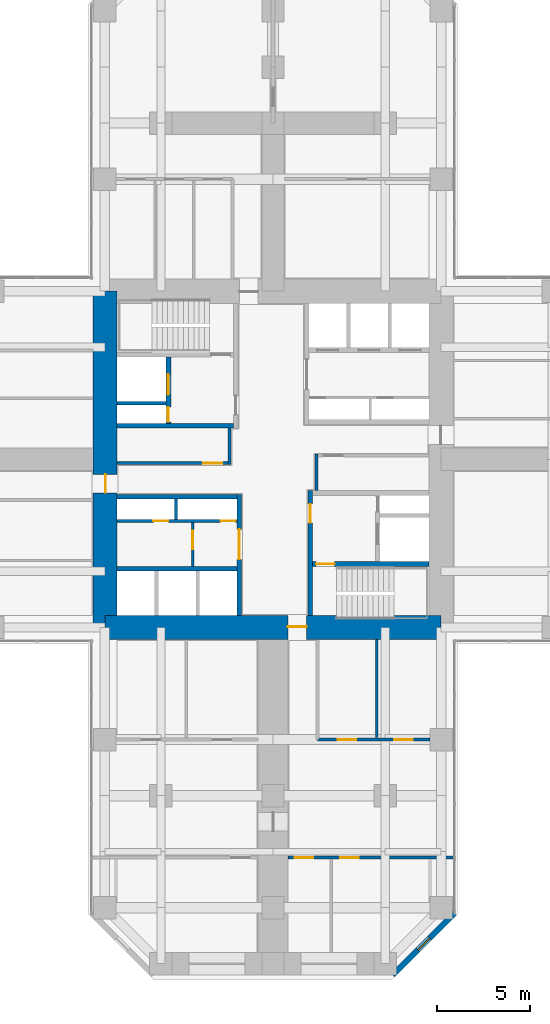
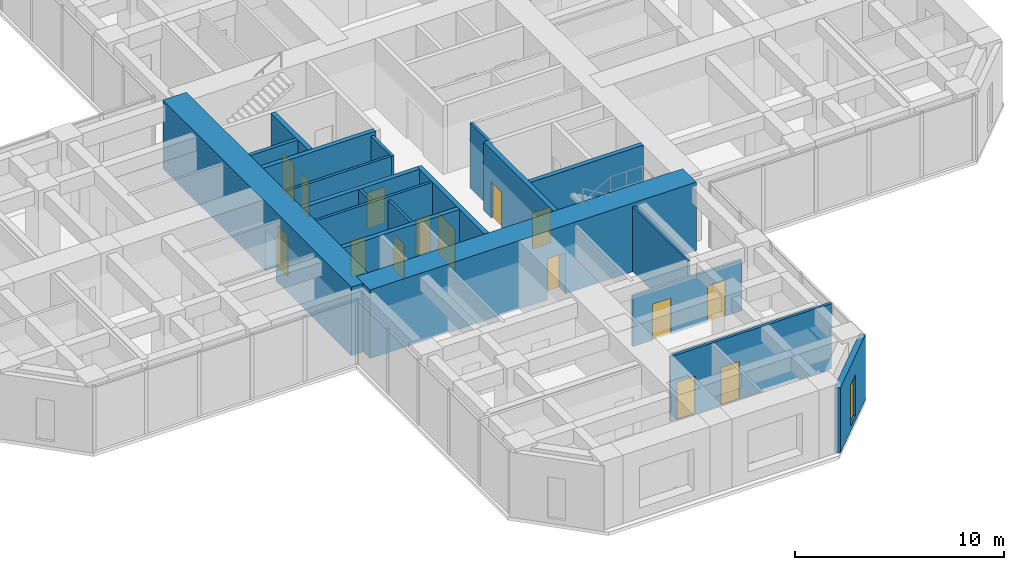
# One storey, part 9 of 13: 20 walls, 15 doors, 1 window, 16 openings.
"""IFC4 building model written with IfcOpenShell, lengths in metres."""

from ifc_helpers import new_model, si_unit, direction, frame, frame_2d, origin, place, context, subcontext, project, spatial, rectangle, hollow_rectangle, extrude, material, layer, layer_set, constituent, constituent_set, type_object, element, fill, save


model = new_model("IFC4")

# Units and contexts
model_context = context("Model", 3, precision=1e-05, world=origin(), true_north=direction((0.0, 1.0)))
body_context = subcontext(model_context, "Body", "Model", "MODEL_VIEW")
ifc_project = project(units=[si_unit("LENGTHUNIT", "METRE"), si_unit("AREAUNIT", "SQUARE_METRE"), si_unit("VOLUMEUNIT", "CUBIC_METRE"), si_unit("PLANEANGLEUNIT", "RADIAN"), si_unit("MASSUNIT", "GRAM", prefix="KILO")], contexts=[model_context])

# Site, building, storey
site_placement = place(None, origin())
site = spatial("IfcSite", under=ifc_project, at=site_placement, CompositionType="ELEMENT")
building_placement = place(site_placement, origin())
building = spatial("IfcBuilding", under=site, at=building_placement, Name="Torre Cruceta", CompositionType="ELEMENT")
storey_placement = place(building_placement, frame((0.0, 0.0, 47.5)))
storey = spatial("IfcBuildingStorey", under=building, at=storey_placement, Name="L11", CompositionType="ELEMENT", Elevation=47.5)

# Wall
ifc_material_1 = material(Name="Concrete G60 (fck 60 MPa)", Category="concrete")
ifc_layer_1 = layer(ifc_material_1, 0.25)
ifc_layer_set_1 = layer_set([ifc_layer_1], Name="Concrete G60 (fck 60 MPa)")
wall_type_1 = type_object("IfcWallType", Name="CORE INNER WALL 250 G60", PredefinedType="SHEAR", material=ifc_layer_set_1)
wall_1_placement = place(storey_placement, frame((-2.125, 1.800048828125, 0.0), z_axis=(0.0, 0.0, 1.0), x_axis=(-1.0, 0.0, 0.0)))
element("IfcWall", 1, at=wall_1_placement, inside=storey, type_object=wall_type_1, Name="CW4 L11 NW-CV", PredefinedType="SHEAR", context=body_context, shape_type="SweptSolid", body=[
    extrude(rectangle(XDim=6.22509765625, YDim=0.25, at=frame_2d((3.112548828125, 0.0))), origin(), (0.0, 0.0, 1.0), 4.0),
])

# Wall, openings, doors
wall_2_placement = place(storey_placement, frame((-5.60009765625, 1.925048828125, 0.0), z_axis=(0.0, 0.0, 1.0), x_axis=(0.0, 1.0, 0.0)))
wall_2 = element("IfcWall", 2, at=wall_2_placement, inside=storey, type_object=wall_type_1, Name="CW4 L11 NW-FU", PredefinedType="SHEAR", context=body_context, shape_type="SweptSolid", body=[
    extrude(rectangle(XDim=3.550048828125, YDim=0.25, at=frame_2d((1.77490234375, 0.0))), origin(), (0.0, 0.0, 1.0), 4.0),
])
opening_1_placement = place(wall_2_placement, frame((1.52490234375, 0.0, 0.0)))
opening_1 = element("IfcOpeningElement", 3, at=opening_1_placement, cuts=wall_2, Name="Opening LD1", PredefinedType="OPENING", context=body_context, shape_type="SweptSolid", body=[
    extrude(rectangle(XDim=1.10009765625, YDim=2.199951171875, at=frame_2d((0.550048828125, 1.10009765625))), frame((0.0, 0.135009765625, 0.0), z_axis=(0.0, -1.0, 0.0), x_axis=(1.0, 0.0, 0.0)), (0.0, 0.0, 1.0), 0.27001953125),
])
opening_2_placement = place(wall_2_placement, frame((0.074951171875, 0.0, 0.0)))
opening_2 = element("IfcOpeningElement", 4, at=opening_2_placement, cuts=wall_2, Name="Opening D5", PredefinedType="OPENING", context=body_context, shape_type="SweptSolid", body=[
    extrude(rectangle(XDim=0.800048828125, YDim=2.10009765625, at=frame_2d((0.39990234375, 1.050048828125))), frame((0.0, 0.135009765625, 0.0), z_axis=(0.0, -1.0, 0.0), x_axis=(1.0, 0.0, 0.0)), (0.0, 0.0, 1.0), 0.27001953125),
])
ifc_material_2 = material(Name="Stainless steel 1.4401", Category="steel")
door_type_1 = type_object("IfcDoorType", Name="LIFT LANDING DOOR 1100X2200", OperationType="DOUBLE_DOOR_SLIDING", PredefinedType="DOOR", material=ifc_material_2)
door_1_placement = place(opening_1_placement, origin())
door_1 = element("IfcDoor", 5, at=door_1_placement, inside=storey, type_object=door_type_1, Name="Lift landing door FL1", OperationType="DOUBLE_DOOR_SLIDING", OverallHeight=2.199951171875, OverallWidth=1.10009765625, PredefinedType="DOOR", context=body_context, shape_type="SweptSolid", body=[
    extrude(rectangle(XDim=1.10009765625, YDim=2.199951171875, at=frame_2d((0.550048828125, 1.10009765625))), frame((0.0, 0.02490234375, 0.0), z_axis=(0.0, -1.0, 0.0), x_axis=(1.0, 0.0, 0.0)), (0.0, 0.0, 1.0), 0.050048828125),
])
fill(opening_1, door_1)
ifc_material_3 = material(Name="Steel DX51D", Category="steel")
ifc_constituent_1 = constituent(ifc_material_3, Name="Leaf and frame")
ifc_material_4 = material(Name="Polyester powder coating", Category="paint")
ifc_constituent_2 = constituent(ifc_material_4, Name="Finish")
ifc_constituent_set_1 = constituent_set(constituents=[ifc_constituent_1, ifc_constituent_2], Name="Steel fire door")
door_type_2 = type_object("IfcDoorType", Name="RISER ACCESS DOOR 800X2100", OperationType="SINGLE_SWING_LEFT", PredefinedType="DOOR", material=ifc_constituent_set_1)
door_2_placement = place(opening_2_placement, origin())
door_2 = element("IfcDoor", 6, at=door_2_placement, inside=storey, type_object=door_type_2, Name="D5 L11 NW-RISER", OperationType="SINGLE_SWING_LEFT", OverallHeight=2.10009765625, OverallWidth=0.800048828125, PredefinedType="DOOR", context=body_context, shape_type="SweptSolid", body=[
    extrude(rectangle(XDim=0.800048828125, YDim=2.10009765625, at=frame_2d((0.39990234375, 1.050048828125))), frame((0.0, 0.02490234375, 0.0), z_axis=(0.0, -1.0, 0.0), x_axis=(1.0, 0.0, 0.0)), (0.0, 0.0, 1.0), 0.050048828125),
])
fill(opening_2, door_2)

# Wall, opening, door
wall_3_placement = place(storey_placement, frame((-1.800048828125, -1.875, 0.0), z_axis=(0.0, 0.0, 1.0), x_axis=(0.0, -1.0, 0.0)))
wall_3 = element("IfcWall", 7, at=wall_3_placement, inside=storey, type_object=wall_type_1, Name="CW4 L11 SW-CU", PredefinedType="SHEAR", context=body_context, shape_type="SweptSolid", body=[
    extrude(rectangle(XDim=6.47509765625, YDim=0.25, at=frame_2d((3.237548828125, 0.0))), origin(), (0.0, 0.0, 1.0), 4.0),
])
opening_3_placement = place(wall_3_placement, frame((1.875, 0.0, 0.0)))
opening_3 = element("IfcOpeningElement", 8, at=opening_3_placement, cuts=wall_3, Name="Opening D15", PredefinedType="OPENING", context=body_context, shape_type="SweptSolid", body=[
    extrude(rectangle(XDim=1.60009765625, YDim=2.39990234375, at=frame_2d((0.800048828125, 1.199951171875))), frame((0.0, 0.135009765625, 0.0), z_axis=(0.0, -1.0, 0.0), x_axis=(1.0, 0.0, 0.0)), (0.0, 0.0, 1.0), 0.27001953125),
])
ifc_material_5 = material(Name="Steel DX51D", Category="steel")
ifc_constituent_3 = constituent(ifc_material_5, Name="Leaf and frame")
ifc_material_6 = material(Name="Polyester powder coating", Category="paint")
ifc_constituent_4 = constituent(ifc_material_6, Name="Finish")
ifc_constituent_set_2 = constituent_set(constituents=[ifc_constituent_3, ifc_constituent_4], Name="Steel fire door")
door_type_3 = type_object("IfcDoorType", Name="CORE ROOM DOUBLE DOOR 1600X2400", OperationType="DOUBLE_DOOR_SINGLE_SWING", PredefinedType="DOOR", material=ifc_constituent_set_2)
door_3_placement = place(opening_3_placement, frame((1.60009765625, 0.0, 0.0), z_axis=(0.0, 0.0, 1.0), x_axis=(-1.0, 0.0, 0.0)))
door_3 = element("IfcDoor", 9, at=door_3_placement, inside=storey, type_object=door_type_3, Name="D15 L11 SW-LOBBY", OperationType="DOUBLE_DOOR_SINGLE_SWING", OverallHeight=2.39990234375, OverallWidth=1.60009765625, PredefinedType="DOOR", context=body_context, shape_type="SweptSolid", body=[
    extrude(rectangle(XDim=1.60009765625, YDim=2.39990234375, at=frame_2d((0.800048828125, 1.199951171875))), frame((0.0, 0.025146484375, 0.0), z_axis=(0.0, -1.0, 0.0), x_axis=(1.0, 0.0, 0.0)), (0.0, 0.0, 1.0), 0.050048828125),
])
fill(opening_3, door_3)

# Walls
for number, where, z_axis, x_axis, name in (
    (10, (-1.925048828125, -2.0, 0.0), (0.0, 0.0, 1.0), (-1.0, 0.0, 0.0), "CW4 L11 SW-CV"),
    (11, (-1.925048828125, -5.85009765625, 0.0), (0.0, 0.0, 1.0), (-1.0, 0.0, 0.0), "CW4 L11 SW-LV"),
):
    element("IfcWall", number, at=place(storey_placement, frame(where, z_axis=z_axis, x_axis=x_axis)), inside=storey, type_object=wall_type_1, Name=name, PredefinedType="SHEAR", context=body_context, shape_type="SweptSolid", body=[
        extrude(rectangle(XDim=6.425048828125, YDim=0.25, at=frame_2d((3.21240234375, 0.0))), origin(), (0.0, 0.0, 1.0), 4.0),
    ])

# Wall, opening, door
wall_4_placement = place(storey_placement, frame((2.0, -1.675048828125, 0.0), z_axis=(0.0, 0.0, 1.0), x_axis=(0.0, -1.0, 0.0)))
wall_4 = element("IfcWall", 12, at=wall_4_placement, inside=storey, type_object=wall_type_1, Name="CW4 L11 SE-CU", PredefinedType="SHEAR", context=body_context, shape_type="SweptSolid", body=[
    extrude(rectangle(XDim=6.675048828125, YDim=0.25, at=frame_2d((3.33740234375, 0.0))), origin(), (0.0, 0.0, 1.0), 4.0),
])
opening_4_placement = place(wall_4_placement, frame((0.72509765625, 0.0, 0.0)))
opening_4 = element("IfcOpeningElement", 13, at=opening_4_placement, cuts=wall_4, Name="Opening D3", PredefinedType="OPENING", context=body_context, shape_type="SweptSolid", body=[
    extrude(rectangle(XDim=1.0, YDim=2.10009765625, at=frame_2d((0.5, 1.050048828125))), frame((0.0, 0.135009765625, 0.0), z_axis=(0.0, -1.0, 0.0), x_axis=(1.0, 0.0, 0.0)), (0.0, 0.0, 1.0), 0.27001953125),
])
ifc_material_7 = material(Name="Steel DX51D", Category="steel")
ifc_constituent_5 = constituent(ifc_material_7, Name="Leaf and frame")
ifc_material_8 = material(Name="Polyester powder coating", Category="paint")
ifc_constituent_6 = constituent(ifc_material_8, Name="Finish")
ifc_constituent_set_3 = constituent_set(constituents=[ifc_constituent_5, ifc_constituent_6], Name="Steel fire door")
door_type_4 = type_object("IfcDoorType", Name="FIRE DOOR 1000X2100", OperationType="SINGLE_SWING_LEFT", PredefinedType="DOOR", material=ifc_constituent_set_3)
door_4_placement = place(opening_4_placement, origin())
door_4 = element("IfcDoor", 14, at=door_4_placement, inside=storey, type_object=door_type_4, Name="D3 L11 SE-LOBBY", OperationType="SINGLE_SWING_LEFT", OverallHeight=2.10009765625, OverallWidth=1.0, PredefinedType="DOOR", context=body_context, shape_type="SweptSolid", body=[
    extrude(rectangle(XDim=1.0, YDim=2.10009765625, at=frame_2d((0.5, 1.050048828125))), frame((0.0, 0.02490234375, 0.0), z_axis=(0.0, -1.0, 0.0), x_axis=(1.0, 0.0, 0.0)), (0.0, 0.0, 1.0), 0.050048828125),
])
fill(opening_4, door_4)

wall_5_placement = place(storey_placement, frame((2.125, -5.60009765625, 0.0), z_axis=(0.0, 0.0, 1.0), x_axis=(1.0, 0.0, 0.0)))
wall_5 = element("IfcWall", 15, at=wall_5_placement, inside=storey, type_object=wall_type_1, Name="CW4 L11 SE-SV", PredefinedType="SHEAR", context=body_context, shape_type="SweptSolid", body=[
    extrude(rectangle(XDim=6.22509765625, YDim=0.25, at=frame_2d((3.112548828125, 0.0))), origin(), (0.0, 0.0, 1.0), 4.0),
])
opening_5_placement = place(wall_5_placement, frame((0.175048828125, 0.0, 0.0)))
opening_5 = element("IfcOpeningElement", 16, at=opening_5_placement, cuts=wall_5, Name="Opening D3", PredefinedType="OPENING", context=body_context, shape_type="SweptSolid", body=[
    extrude(rectangle(XDim=1.0, YDim=2.10009765625, at=frame_2d((0.5, 1.050048828125))), frame((0.0, 0.135009765625, 0.0), z_axis=(0.0, -1.0, 0.0), x_axis=(1.0, 0.0, 0.0)), (0.0, 0.0, 1.0), 0.27001953125),
])
door_5_placement = place(opening_5_placement, frame((1.0, 0.0, 0.0), z_axis=(0.0, 0.0, 1.0), x_axis=(-1.0, 0.0, 0.0)))
door_5 = element("IfcDoor", 17, at=door_5_placement, inside=storey, type_object=door_type_4, Name="D3 L11 SE-STAIR", OperationType="SINGLE_SWING_RIGHT", OverallHeight=2.10009765625, OverallWidth=1.0, PredefinedType="DOOR", context=body_context, shape_type="SweptSolid", body=[
    extrude(rectangle(XDim=1.0, YDim=2.10009765625, at=frame_2d((0.5, 1.050048828125))), frame((0.0, 0.025146484375, 0.0), z_axis=(0.0, -1.0, 0.0), x_axis=(1.0, 0.0, 0.0)), (0.0, 0.0, 1.0), 0.050048828125),
])
fill(opening_5, door_5)

ifc_material_9 = material(Name="Concrete G60 (fck 60 MPa)", Category="concrete")
ifc_layer_2 = layer(ifc_material_9, 1.300048828125)
ifc_layer_set_2 = layer_set([ifc_layer_2], Name="Concrete G60 (fck 60 MPa)")
wall_type_2 = type_object("IfcWallType", Name="CORE WALL 1300 G60", PredefinedType="SHEAR", material=ifc_layer_set_2)
wall_6_placement = place(storey_placement, frame((-9.0, -9.0, 0.0), z_axis=(0.0, 0.0, 1.0), x_axis=(1.0, 0.0, 0.0)))
wall_6 = element("IfcWall", 18, at=wall_6_placement, inside=storey, type_object=wall_type_2, Name="CW1 L11 CW-S", PredefinedType="SHEAR", context=body_context, shape_type="SweptSolid", body=[
    extrude(rectangle(XDim=18.0, YDim=1.300048828125, at=frame_2d((9.0, 0.0))), origin(), (0.0, 0.0, 1.0), 4.0),
])
opening_6_placement = place(wall_6_placement, frame((9.800048828125, 0.0, 0.0)))
opening_6 = element("IfcOpeningElement", 19, at=opening_6_placement, cuts=wall_6, Name="Opening D4", PredefinedType="OPENING", context=body_context, shape_type="SweptSolid", body=[
    extrude(rectangle(XDim=1.0, YDim=2.39990234375, at=frame_2d((0.5, 1.199951171875))), frame((0.0, 0.659912109375, 0.0), z_axis=(0.0, -1.0, 0.0), x_axis=(1.0, 0.0, 0.0)), (0.0, 0.0, 1.0), 1.320068359375),
])
ifc_material_10 = material(Name="Steel DX51D", Category="steel")
ifc_constituent_7 = constituent(ifc_material_10, Name="Leaf and frame")
ifc_material_11 = material(Name="Polyester powder coating", Category="paint")
ifc_constituent_8 = constituent(ifc_material_11, Name="Finish")
ifc_constituent_set_4 = constituent_set(constituents=[ifc_constituent_7, ifc_constituent_8], Name="Steel fire door")
door_type_5 = type_object("IfcDoorType", Name="CORE ARM DOOR 1000X2400", OperationType="SINGLE_SWING_RIGHT", PredefinedType="DOOR", material=ifc_constituent_set_4)
door_6_placement = place(opening_6_placement, frame((1.0, 0.0, 0.0), z_axis=(0.0, 0.0, 1.0), x_axis=(-1.0, 0.0, 0.0)))
door_6 = element("IfcDoor", 20, at=door_6_placement, inside=storey, type_object=door_type_5, Name="D4 L11 CW-S", OperationType="SINGLE_SWING_RIGHT", OverallHeight=2.39990234375, OverallWidth=1.0, PredefinedType="DOOR", context=body_context, shape_type="SweptSolid", body=[
    extrude(rectangle(XDim=1.0, YDim=2.39990234375, at=frame_2d((0.5, 1.199951171875))), frame((0.0, -0.005126953125, 0.0), z_axis=(0.0, -1.0, 0.0), x_axis=(1.0, 0.0, 0.0)), (0.0, 0.0, 1.0), 0.050048828125),
])
fill(opening_6, door_6)

wall_7_placement = place(storey_placement, frame((-9.0, 9.0, 0.0), z_axis=(0.0, 0.0, 1.0), x_axis=(0.0, -1.0, 0.0)))
wall_7 = element("IfcWall", 21, at=wall_7_placement, inside=storey, type_object=wall_type_2, Name="CW1 L11 CW-W", PredefinedType="SHEAR", context=body_context, shape_type="SweptSolid", body=[
    extrude(rectangle(XDim=18.0, YDim=1.300048828125, at=frame_2d((9.0, 0.0))), origin(), (0.0, 0.0, 1.0), 4.0),
])
opening_7_placement = place(wall_7_placement, frame((9.800048828125, 0.0, 0.0)))
opening_7 = element("IfcOpeningElement", 22, at=opening_7_placement, cuts=wall_7, Name="Opening D4", PredefinedType="OPENING", context=body_context, shape_type="SweptSolid", body=[
    extrude(rectangle(XDim=1.0, YDim=2.39990234375, at=frame_2d((0.5, 1.199951171875))), frame((0.0, 0.659912109375, 0.0), z_axis=(0.0, -1.0, 0.0), x_axis=(1.0, 0.0, 0.0)), (0.0, 0.0, 1.0), 1.320068359375),
])
door_7_placement = place(opening_7_placement, frame((1.0, 0.0, 0.0), z_axis=(0.0, 0.0, 1.0), x_axis=(-1.0, 0.0, 0.0)))
door_7 = element("IfcDoor", 23, at=door_7_placement, inside=storey, type_object=door_type_5, Name="D4 L11 CW-W", OperationType="SINGLE_SWING_RIGHT", OverallHeight=2.39990234375, OverallWidth=1.0, PredefinedType="DOOR", context=body_context, shape_type="SweptSolid", body=[
    extrude(rectangle(XDim=1.0, YDim=2.39990234375, at=frame_2d((0.5, 1.199951171875))), frame((0.0, -0.005126953125, 0.0), z_axis=(0.0, -1.0, 0.0), x_axis=(1.0, 0.0, 0.0)), (0.0, 0.0, 1.0), 0.050048828125),
])
fill(opening_7, door_7)

# Wall, opening, window
ifc_material_12 = material(Name="Concrete G30 (fck 30 MPa)", Category="concrete")
ifc_layer_3 = layer(ifc_material_12, 0.300048828125)
ifc_layer_set_3 = layer_set([ifc_layer_3], Name="Concrete G30 (fck 30 MPa)")
wall_type_3 = type_object("IfcWallType", Name="EXPOSED CONCRETE FACADE WALL 300", PredefinedType="SOLIDWALL", material=ifc_layer_set_3)
wall_8_placement = place(storey_placement, frame((6.418212890625, -27.60009765625, 0.0), z_axis=(0.0, 0.0, 1.0), x_axis=(0.707106781187, 0.707106781187, 0.0)))
wall_8 = element("IfcWall", 24, at=wall_8_placement, inside=storey, type_object=wall_type_3, Name="EW1 facade wall L11 S chamfer 18", PredefinedType="SOLIDWALL", context=body_context, shape_type="SweptSolid", body=[
    extrude(rectangle(XDim=4.66943359375, YDim=0.300048828125, at=frame_2d((2.334716796875, 0.0))), origin(), (0.0, 0.0, 1.0), 3.800048828125),
])
opening_8_placement = place(wall_8_placement, frame((1.884765625, 0.0, 0.300048828125)))
opening_8 = element("IfcOpeningElement", 25, at=opening_8_placement, cuts=wall_8, Name="Opening WN5", PredefinedType="OPENING", context=body_context, shape_type="SweptSolid", body=[
    extrude(rectangle(XDim=0.89990234375, YDim=2.39990234375, at=frame_2d((0.449951171875, 1.199951171875))), frame((0.0, 0.159912109375, 0.0), z_axis=(0.0, -1.0, 0.0), x_axis=(1.0, 0.0, 0.0)), (0.0, 0.0, 1.0), 0.320068359375),
])
ifc_material_13 = material(Name="Aluminium window frame", Category="aluminium")
ifc_constituent_9 = constituent(ifc_material_13, Name="Frame")
ifc_material_14 = material(Name="Laminated insulating glass unit, low-iron clear", Category="glass")
ifc_constituent_10 = constituent(ifc_material_14, Name="Glazing")
ifc_constituent_set_5 = constituent_set(constituents=[ifc_constituent_9, ifc_constituent_10], Name="Aluminium window")
window_type = type_object("IfcWindowType", Name="CHAMFER SLOT WINDOW 900X2400", PartitioningType="SINGLE_PANEL", PredefinedType="WINDOW", material=ifc_constituent_set_5)
window_placement = place(opening_8_placement, origin())
window = element("IfcWindow", 26, at=window_placement, inside=storey, type_object=window_type, Name="WN5 L11 S 1", OverallHeight=2.39990234375, OverallWidth=0.89990234375, PartitioningType="SINGLE_PANEL", PredefinedType="WINDOW", context=body_context, shape_type="SweptSolid", body=[
    extrude(hollow_rectangle(XDim=0.89990234375, YDim=2.39990234375, WallThickness=0.06005859375, at=frame_2d((0.449951171875, 1.199951171875))), frame((0.0, 0.030029296875, 0.0), z_axis=(0.0, -1.0, 0.0), x_axis=(1.0, 0.0, 0.0)), (0.0, 0.0, 1.0), 0.06005859375),
    extrude(rectangle(XDim=0.77880859375, YDim=2.27880859375, at=frame_2d((0.449951171875, 1.199951171875))), frame((0.0, 0.030029296875, 0.0), z_axis=(0.0, -1.0, 0.0), x_axis=(1.0, 0.0, 0.0)), (0.0, 0.0, 1.0), 0.06005859375),
])
fill(opening_8, window)

# Walls
ifc_material_15 = material(Name="Concrete G35 (fck 35 MPa)", Category="concrete")
ifc_layer_4 = layer(ifc_material_15, 0.199951171875)
ifc_layer_set_4 = layer_set([ifc_layer_4], Name="Concrete G35 (fck 35 MPa)")
wall_type_4 = type_object("IfcWallType", Name="LIFT SHAFT WALL 200", PredefinedType="PARTITIONING", material=ifc_layer_set_4)
wall_9_placement = place(storey_placement, frame((-5.72509765625, 3.0, 0.0), z_axis=(0.0, 0.0, 1.0), x_axis=(-1.0, 0.0, 0.0)))
element("IfcWall", 27, at=wall_9_placement, inside=storey, type_object=wall_type_4, Name="SW1 L11 NW-FR", PredefinedType="PARTITIONING", context=body_context, shape_type="SweptSolid", body=[
    extrude(rectangle(XDim=2.625, YDim=0.199951171875, at=frame_2d((1.3125, 0.0))), origin(), (0.0, 0.0, 1.0), 4.0),
])
ifc_material_16 = material(Name="Plasterboard on steel studs", Category="steel")
ifc_layer_5 = layer(ifc_material_16, 0.14990234375)
ifc_layer_set_5 = layer_set([ifc_layer_5], Name="Plasterboard on steel studs")
wall_type_5 = type_object("IfcWallType", Name="PARTITION 150", PredefinedType="PARTITIONING", material=ifc_layer_set_5)
wall_10_placement = place(storey_placement, frame((2.324951171875, -1.675048828125, 0.0), z_axis=(0.0, 0.0, 1.0), x_axis=(0.0, 1.0, 0.0)))
element("IfcWall", 28, at=wall_10_placement, inside=storey, type_object=wall_type_5, Name="PT1 L11-CORE-LEGE-S-W2", PredefinedType="PARTITIONING", context=body_context, shape_type="SweptSolid", body=[
    extrude(rectangle(XDim=1.949951171875, YDim=0.14990234375, at=frame_2d((0.97509765625, 0.0))), origin(), (0.0, 0.0, 1.0), 3.800048828125),
])

# Wall, opening, door
wall_11_placement = place(storey_placement, frame((-2.324951171875, -0.199951171875, 0.0), z_axis=(0.0, 0.0, 1.0), x_axis=(-1.0, 0.0, 0.0)))
wall_11 = element("IfcWall", 29, at=wall_11_placement, inside=storey, type_object=wall_type_5, Name="PT1 L11-CORE-LEGW-N-W1", PredefinedType="PARTITIONING", context=body_context, shape_type="SweptSolid", body=[
    extrude(rectangle(XDim=6.025146484375, YDim=0.14990234375, at=frame_2d((3.0126953125, 0.0))), origin(), (0.0, 0.0, 1.0), 3.800048828125),
])
opening_9_placement = place(wall_11_placement, frame((0.39990234375, 0.0, 0.0)))
opening_9 = element("IfcOpeningElement", 30, at=opening_9_placement, cuts=wall_11, Name="Opening D3", PredefinedType="OPENING", context=body_context, shape_type="SweptSolid", body=[
    extrude(rectangle(XDim=1.0, YDim=2.10009765625, at=frame_2d((0.5, 1.050048828125))), frame((0.0, 0.0849609375, 0.0), z_axis=(0.0, -1.0, 0.0), x_axis=(1.0, 0.0, 0.0)), (0.0, 0.0, 1.0), 0.169921875),
])
door_8_placement = place(opening_9_placement, frame((1.0, 0.0, 0.0), z_axis=(0.0, 0.0, 1.0), x_axis=(-1.0, 0.0, 0.0)))
door_8 = element("IfcDoor", 31, at=door_8_placement, inside=storey, type_object=door_type_4, Name="D3 L11-CORE-LEGW-N-W1-D1", OperationType="SINGLE_SWING_RIGHT", OverallHeight=2.10009765625, OverallWidth=1.0, PredefinedType="DOOR", context=body_context, shape_type="SweptSolid", body=[
    extrude(rectangle(XDim=1.0, YDim=2.10009765625, at=frame_2d((0.5, 1.050048828125))), frame((0.0, 0.025146484375, 0.0), z_axis=(0.0, -1.0, 0.0), x_axis=(1.0, 0.0, 0.0)), (0.0, 0.0, 1.0), 0.050048828125),
])
fill(opening_9, door_8)

# Wall
wall_12_placement = place(storey_placement, frame((-2.324951171875, 1.675048828125, 0.0), z_axis=(0.0, 0.0, 1.0), x_axis=(0.0, -1.0, 0.0)))
element("IfcWall", 32, at=wall_12_placement, inside=storey, type_object=wall_type_5, Name="PT1 L11-CORE-LEGW-N-W2", PredefinedType="PARTITIONING", context=body_context, shape_type="SweptSolid", body=[
    extrude(rectangle(XDim=1.949951171875, YDim=0.14990234375, at=frame_2d((0.97509765625, 0.0))), origin(), (0.0, 0.0, 1.0), 3.800048828125),
])

# Wall, opening, door
wall_13_placement = place(storey_placement, frame((-4.300048828125, -3.375, 0.0), z_axis=(0.0, 0.0, 1.0), x_axis=(0.0, -1.0, 0.0)))
wall_13 = element("IfcWall", 33, at=wall_13_placement, inside=storey, type_object=wall_type_5, Name="PT1 L11-CORE-SW-X", PredefinedType="PARTITIONING", context=body_context, shape_type="SweptSolid", body=[
    extrude(rectangle(XDim=2.35009765625, YDim=0.14990234375, at=frame_2d((1.175048828125, 0.0))), origin(), (0.0, 0.0, 1.0), 3.800048828125),
])
opening_10_placement = place(wall_13_placement, frame((0.449951171875, 0.0, 0.0)))
opening_10 = element("IfcOpeningElement", 34, at=opening_10_placement, cuts=wall_13, Name="Opening D3", PredefinedType="OPENING", context=body_context, shape_type="SweptSolid", body=[
    extrude(rectangle(XDim=1.0, YDim=2.10009765625, at=frame_2d((0.5, 1.050048828125))), frame((0.0, 0.0849609375, 0.0), z_axis=(0.0, -1.0, 0.0), x_axis=(1.0, 0.0, 0.0)), (0.0, 0.0, 1.0), 0.169921875),
])
door_9_placement = place(opening_10_placement, origin())
door_9 = element("IfcDoor", 35, at=door_9_placement, inside=storey, type_object=door_type_4, Name="D3 L11-CORE-SW-X-D1", OperationType="SINGLE_SWING_LEFT", OverallHeight=2.10009765625, OverallWidth=1.0, PredefinedType="DOOR", context=body_context, shape_type="SweptSolid", body=[
    extrude(rectangle(XDim=1.0, YDim=2.10009765625, at=frame_2d((0.5, 1.050048828125))), frame((0.0, 0.02490234375, 0.0), z_axis=(0.0, -1.0, 0.0), x_axis=(1.0, 0.0, 0.0)), (0.0, 0.0, 1.0), 0.050048828125),
])
fill(opening_10, door_9)

# Wall, openings, doors
wall_14_placement = place(storey_placement, frame((2.375, -15.0, 0.0), z_axis=(0.0, 0.0, 1.0), x_axis=(1.0, 0.0, 0.0)))
wall_14 = element("IfcWall", 36, at=wall_14_placement, inside=storey, type_object=wall_type_5, Name="PT1 L11-S-BFL", PredefinedType="PARTITIONING", context=body_context, shape_type="SweptSolid", body=[
    extrude(rectangle(XDim=6.02490234375, YDim=0.14990234375, at=frame_2d((3.012451171875, 0.0))), origin(), (0.0, 0.0, 1.0), 2.949951171875),
])
opening_11_placement = place(wall_14_placement, frame((1.08984375, 0.0, 0.0)))
opening_11 = element("IfcOpeningElement", 37, at=opening_11_placement, cuts=wall_14, Name="Opening D3", PredefinedType="OPENING", context=body_context, shape_type="SweptSolid", body=[
    extrude(rectangle(XDim=1.0, YDim=2.10009765625, at=frame_2d((0.5, 1.050048828125))), frame((0.0, 0.0849609375, 0.0), z_axis=(0.0, -1.0, 0.0), x_axis=(1.0, 0.0, 0.0)), (0.0, 0.0, 1.0), 0.169921875),
])
opening_12_placement = place(wall_14_placement, frame((4.102294921875, 0.0, 0.0)))
opening_12 = element("IfcOpeningElement", 38, at=opening_12_placement, cuts=wall_14, Name="Opening D3", PredefinedType="OPENING", context=body_context, shape_type="SweptSolid", body=[
    extrude(rectangle(XDim=1.0, YDim=2.10009765625, at=frame_2d((0.5, 1.050048828125))), frame((0.0, 0.0849609375, 0.0), z_axis=(0.0, -1.0, 0.0), x_axis=(1.0, 0.0, 0.0)), (0.0, 0.0, 1.0), 0.169921875),
])
door_10_placement = place(opening_11_placement, origin())
door_10 = element("IfcDoor", 39, at=door_10_placement, inside=storey, type_object=door_type_4, Name="D3 L11-S-BFL-D1", OperationType="SINGLE_SWING_LEFT", OverallHeight=2.10009765625, OverallWidth=1.0, PredefinedType="DOOR", context=body_context, shape_type="SweptSolid", body=[
    extrude(rectangle(XDim=1.0, YDim=2.10009765625, at=frame_2d((0.5, 1.050048828125))), frame((0.0, 0.02490234375, 0.0), z_axis=(0.0, -1.0, 0.0), x_axis=(1.0, 0.0, 0.0)), (0.0, 0.0, 1.0), 0.050048828125),
])
fill(opening_11, door_10)
door_11_placement = place(opening_12_placement, origin())
door_11 = element("IfcDoor", 40, at=door_11_placement, inside=storey, type_object=door_type_4, Name="D3 L11-S-BFL-D2", OperationType="SINGLE_SWING_LEFT", OverallHeight=2.10009765625, OverallWidth=1.0, PredefinedType="DOOR", context=body_context, shape_type="SweptSolid", body=[
    extrude(rectangle(XDim=1.0, YDim=2.10009765625, at=frame_2d((0.5, 1.050048828125))), frame((0.0, 0.02490234375, 0.0), z_axis=(0.0, -1.0, 0.0), x_axis=(1.0, 0.0, 0.0)), (0.0, 0.0, 1.0), 0.050048828125),
])
fill(opening_12, door_11)

wall_15_placement = place(storey_placement, frame((0.800048828125, -21.320068359375, 0.0), z_axis=(0.0, 0.0, 1.0), x_axis=(1.0, 0.0, 0.0)))
wall_15 = element("IfcWall", 41, at=wall_15_placement, inside=storey, type_object=wall_type_5, Name="PT1 L11-S-TWL", PredefinedType="PARTITIONING", context=body_context, shape_type="SweptSolid", body=[
    extrude(rectangle(XDim=8.8798828125, YDim=0.14990234375, at=frame_2d((4.43994140625, 0.0))), origin(), (0.0, 0.0, 1.0), 3.800048828125),
])
opening_13_placement = place(wall_15_placement, frame((0.35009765625, 0.0, 0.0)))
opening_13 = element("IfcOpeningElement", 42, at=opening_13_placement, cuts=wall_15, Name="Opening D14", PredefinedType="OPENING", context=body_context, shape_type="SweptSolid", body=[
    extrude(rectangle(XDim=1.0, YDim=2.199951171875, at=frame_2d((0.5, 1.10009765625))), frame((0.0, 0.0849609375, 0.0), z_axis=(0.0, -1.0, 0.0), x_axis=(1.0, 0.0, 0.0)), (0.0, 0.0, 1.0), 0.169921875),
])
opening_14_placement = place(wall_15_placement, frame((2.79296875, 0.0, 0.0)))
opening_14 = element("IfcOpeningElement", 43, at=opening_14_placement, cuts=wall_15, Name="Opening D14", PredefinedType="OPENING", context=body_context, shape_type="SweptSolid", body=[
    extrude(rectangle(XDim=1.0, YDim=2.199951171875, at=frame_2d((0.5, 1.10009765625))), frame((0.0, 0.0849609375, 0.0), z_axis=(0.0, -1.0, 0.0), x_axis=(1.0, 0.0, 0.0)), (0.0, 0.0, 1.0), 0.169921875),
])
ifc_material_17 = material(Name="Steel DX51D", Category="steel")
ifc_constituent_11 = constituent(ifc_material_17, Name="Leaf and frame")
ifc_material_18 = material(Name="Polyester powder coating", Category="paint")
ifc_constituent_12 = constituent(ifc_material_18, Name="Finish")
ifc_material_19 = material(Name="Fire-resisting glass", Category="glass")
ifc_constituent_13 = constituent(ifc_material_19, Name="Vision panel")
ifc_constituent_set_6 = constituent_set(constituents=[ifc_constituent_11, ifc_constituent_12, ifc_constituent_13], Name="Steel fire door with vision panel")
door_type_6 = type_object("IfcDoorType", Name="FIRE DOOR VISION PANEL 1000X2200", OperationType="SINGLE_SWING_RIGHT", PredefinedType="DOOR", material=ifc_constituent_set_6)
door_12_placement = place(opening_13_placement, frame((1.0, 0.0, 0.0), z_axis=(0.0, 0.0, 1.0), x_axis=(-1.0, 0.0, 0.0)))
door_12 = element("IfcDoor", 44, at=door_12_placement, inside=storey, type_object=door_type_6, Name="D14 L11-S-TWL-D1", OperationType="SINGLE_SWING_RIGHT", OverallHeight=2.199951171875, OverallWidth=1.0, PredefinedType="DOOR", context=body_context, shape_type="SweptSolid", body=[
    extrude(rectangle(XDim=1.0, YDim=2.199951171875, at=frame_2d((0.5, 1.10009765625))), frame((0.0, 0.025146484375, 0.0), z_axis=(0.0, -1.0, 0.0), x_axis=(1.0, 0.0, 0.0)), (0.0, 0.0, 1.0), 0.050048828125),
])
fill(opening_13, door_12)
door_13_placement = place(opening_14_placement, frame((1.0, 0.0, 0.0), z_axis=(0.0, 0.0, 1.0), x_axis=(-1.0, 0.0, 0.0)))
door_13 = element("IfcDoor", 45, at=door_13_placement, inside=storey, type_object=door_type_6, Name="D14 L11-S-TWL-D2", OperationType="SINGLE_SWING_RIGHT", OverallHeight=2.199951171875, OverallWidth=1.0, PredefinedType="DOOR", context=body_context, shape_type="SweptSolid", body=[
    extrude(rectangle(XDim=1.0, YDim=2.199951171875, at=frame_2d((0.5, 1.10009765625))), frame((0.0, 0.025146484375, 0.0), z_axis=(0.0, -1.0, 0.0), x_axis=(1.0, 0.0, 0.0)), (0.0, 0.0, 1.0), 0.050048828125),
])
fill(opening_14, door_13)

ifc_material_20 = material(Name="Concrete block masonry", Category="masonry")
ifc_layer_6 = layer(ifc_material_20, 0.14990234375)
ifc_layer_set_6 = layer_set([ifc_layer_6], Name="Concrete block masonry")
wall_type_6 = type_object("IfcWallType", Name="RISER WALL 150", PredefinedType="PARTITIONING", material=ifc_layer_set_6)
wall_16_placement = place(storey_placement, frame((-1.925048828125, -3.300048828125, 0.0), z_axis=(0.0, 0.0, 1.0), x_axis=(-1.0, 0.0, 0.0)))
wall_16 = element("IfcWall", 46, at=wall_16_placement, inside=storey, type_object=wall_type_6, Name="SW7 L11 SW-RV", PredefinedType="PARTITIONING", context=body_context, shape_type="SweptSolid", body=[
    extrude(rectangle(XDim=6.425048828125, YDim=0.14990234375, at=frame_2d((3.21240234375, 0.0))), origin(), (0.0, 0.0, 1.0), 4.0),
])
opening_15_placement = place(wall_16_placement, frame((0.074951171875, 0.0, 0.0)))
opening_15 = element("IfcOpeningElement", 47, at=opening_15_placement, cuts=wall_16, Name="Opening D5", PredefinedType="OPENING", context=body_context, shape_type="SweptSolid", body=[
    extrude(rectangle(XDim=0.800048828125, YDim=2.10009765625, at=frame_2d((0.39990234375, 1.050048828125))), frame((0.0, 0.0849609375, 0.0), z_axis=(0.0, -1.0, 0.0), x_axis=(1.0, 0.0, 0.0)), (0.0, 0.0, 1.0), 0.169921875),
])
opening_16_placement = place(wall_16_placement, frame((3.675048828125, 0.0, 0.0)))
opening_16 = element("IfcOpeningElement", 48, at=opening_16_placement, cuts=wall_16, Name="Opening D5", PredefinedType="OPENING", context=body_context, shape_type="SweptSolid", body=[
    extrude(rectangle(XDim=0.800048828125, YDim=2.10009765625, at=frame_2d((0.39990234375, 1.050048828125))), frame((0.0, 0.0849609375, 0.0), z_axis=(0.0, -1.0, 0.0), x_axis=(1.0, 0.0, 0.0)), (0.0, 0.0, 1.0), 0.169921875),
])
door_14_placement = place(opening_15_placement, frame((0.800048828125, 0.0, 0.0), z_axis=(0.0, 0.0, 1.0), x_axis=(-1.0, 0.0, 0.0)))
door_14 = element("IfcDoor", 49, at=door_14_placement, inside=storey, type_object=door_type_2, Name="D5 L11 SW-RISER1", OperationType="SINGLE_SWING_RIGHT", OverallHeight=2.10009765625, OverallWidth=0.800048828125, PredefinedType="DOOR", context=body_context, shape_type="SweptSolid", body=[
    extrude(rectangle(XDim=0.800048828125, YDim=2.10009765625, at=frame_2d((0.400146484375, 1.050048828125))), frame((0.0, 0.025146484375, 0.0), z_axis=(0.0, -1.0, 0.0), x_axis=(1.0, 0.0, 0.0)), (0.0, 0.0, 1.0), 0.050048828125),
])
fill(opening_15, door_14)
door_15_placement = place(opening_16_placement, frame((0.800048828125, 0.0, 0.0), z_axis=(0.0, 0.0, 1.0), x_axis=(-1.0, 0.0, 0.0)))
door_15 = element("IfcDoor", 50, at=door_15_placement, inside=storey, type_object=door_type_2, Name="D5 L11 SW-RISER2", OperationType="SINGLE_SWING_RIGHT", OverallHeight=2.10009765625, OverallWidth=0.800048828125, PredefinedType="DOOR", context=body_context, shape_type="SweptSolid", body=[
    extrude(rectangle(XDim=0.800048828125, YDim=2.10009765625, at=frame_2d((0.400146484375, 1.050048828125))), frame((0.0, 0.025146484375, 0.0), z_axis=(0.0, -1.0, 0.0), x_axis=(1.0, 0.0, 0.0)), (0.0, 0.0, 1.0), 0.050048828125),
])
fill(opening_16, door_15)

# Walls
wall_17_placement = place(storey_placement, frame((-5.199951171875, -2.125, 0.0), z_axis=(0.0, 0.0, 1.0), x_axis=(0.0, -1.0, 0.0)))
element("IfcWall", 51, at=wall_17_placement, inside=storey, type_object=wall_type_6, Name="SW7 L11 SW-RU", PredefinedType="PARTITIONING", context=body_context, shape_type="SweptSolid", body=[
    extrude(rectangle(XDim=1.10009765625, YDim=0.14990234375, at=frame_2d((0.550048828125, 0.0))), origin(), (0.0, 0.0, 1.0), 4.0),
])
ifc_material_21 = material(Name="Plasterboard on steel studs", Category="steel")
ifc_layer_7 = layer(ifc_material_21, 0.1201171875)
ifc_layer_set_7 = layer_set([ifc_layer_7], Name="Plasterboard on steel studs")
wall_type_7 = type_object("IfcWallType", Name="WC PARTITION 120", PredefinedType="PLUMBINGWALL", material=ifc_layer_set_7)
wall_18_placement = place(storey_placement, frame((5.554931640625, -9.64990234375, 0.0), z_axis=(0.0, 0.0, 1.0), x_axis=(0.0, -1.0, 0.0)))
element("IfcWall", 52, at=wall_18_placement, inside=storey, type_object=wall_type_7, Name="PT5 L11-S-BDL1", PredefinedType="PLUMBINGWALL", context=body_context, shape_type="SweptSolid", body=[
    extrude(rectangle(XDim=5.25, YDim=0.1201171875, at=frame_2d((2.625, 0.0))), origin(), (0.0, 0.0, 1.0), 3.800048828125),
])

save(model, "model.ifc")
